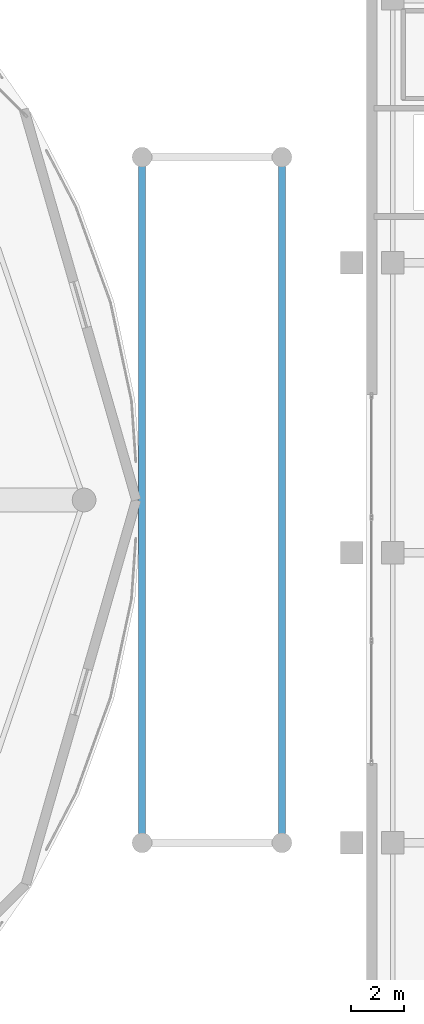
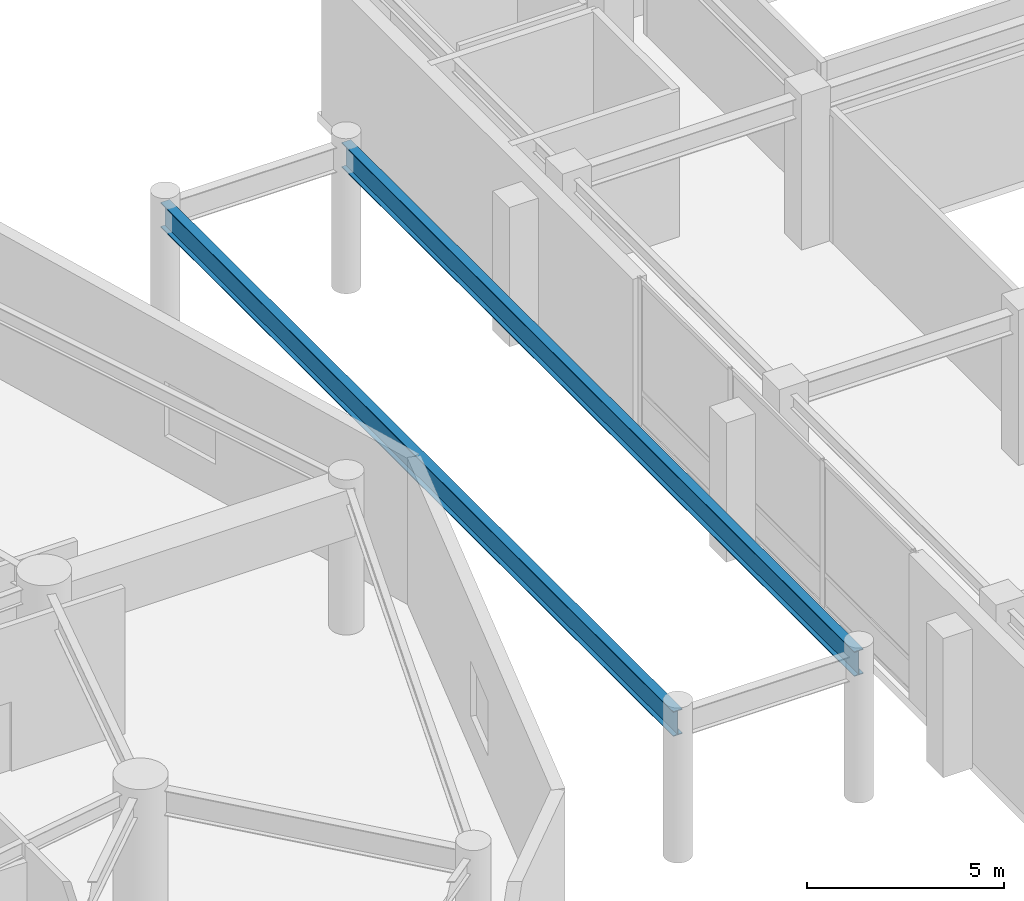
# One storey, part 17 of 36: 2 beams.
"""IFC4 building model written with IfcOpenShell, lengths in metres."""

from ifc_helpers import new_model, si_unit, direction, frame, origin, origin_2d, place, context, subcontext, project, spatial, i_section, extrude, material, material_profile, profile_set, type_object, element, save


model = new_model("IFC4")

# Units and contexts
model_context = context("Model", 3, precision=1e-05, world=origin(), true_north=direction((0.0, 1.0)))
body_context = subcontext(model_context, "Body", "Model", "MODEL_VIEW")
ifc_project = project(units=[si_unit("LENGTHUNIT", "METRE"), si_unit("AREAUNIT", "SQUARE_METRE"), si_unit("VOLUMEUNIT", "CUBIC_METRE"), si_unit("PLANEANGLEUNIT", "RADIAN"), si_unit("MASSUNIT", "GRAM", prefix="KILO")], contexts=[model_context])

# Site, building, storey
site_placement = place(None, origin())
site = spatial("IfcSite", under=ifc_project, at=site_placement, CompositionType="ELEMENT")
building_placement = place(site_placement, origin())
building = spatial("IfcBuilding", under=site, at=building_placement, Name="Kazevale Care Tower and Concert Hall", CompositionType="ELEMENT")
storey_placement = place(building_placement, frame((0.0, 0.0, 14.39990234375)))
storey = spatial("IfcBuildingStorey", under=building, at=storey_placement, Name="L03", CompositionType="ELEMENT", Elevation=14.39990234375)

# Beams
ifc_material = material(Name="Steel ASTM A572 Gr 50", Category="steel")
ifc_material_profile = material_profile(ifc_material, i_section(OverallWidth=0.26806640625, OverallDepth=0.77001953125, WebThickness=0.015625, FlangeThickness=0.025390625, at=origin_2d()), Name="W760x196")
ifc_profile_set = profile_set([ifc_material_profile], Name="Steel ASTM A572 Gr 50")
beam_type = type_object("IfcBeamType", Name="Podium Primary Girder W760x196", PredefinedType="BEAM", material=ifc_profile_set)
for number, where, z_axis, x_axis, name in (
    (1, (92.800048828125, 25.0, 4.085205078125), (0.0, 1.0, 0.0), (-1.0, 0.0, 0.0), "beam:L03:gbox:2"),
    (2, (87.5, 51.0, 4.085205078125), (0.0, -1.0, 0.0), (1.0, 0.0, 0.0), "beam:L03:gbox:4"),
):
    element("IfcBeam", number, at=place(storey_placement, frame(where, z_axis=z_axis, x_axis=x_axis)), inside=storey, type_object=beam_type, Name=name, PredefinedType="BEAM", context=body_context, shape_type="SweptSolid", body=[
        extrude(i_section(OverallWidth=0.26806640625, OverallDepth=0.77001953125, WebThickness=0.015625, FlangeThickness=0.025390625, at=origin_2d()), origin(), (0.0, 0.0, 1.0), 26.0),
    ])

save(model, "model.ifc")
